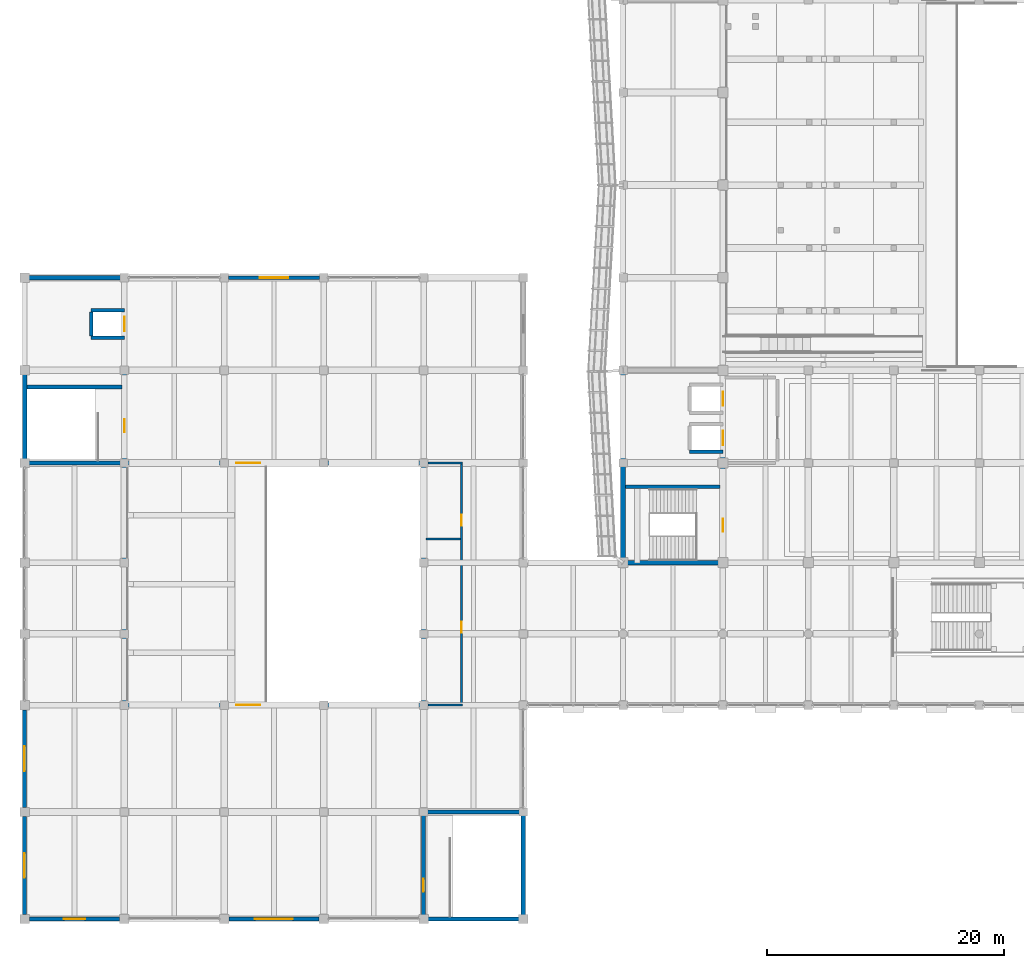
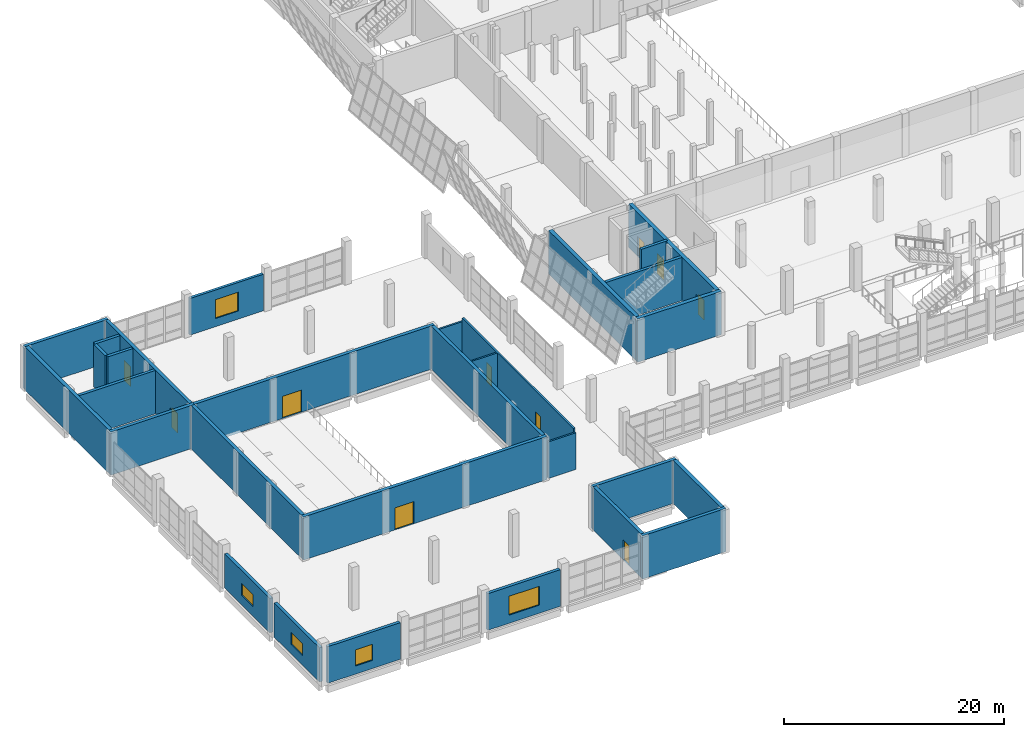
# One storey, part 80 of 91: 30 walls, 10 doors, 5 windows, 15 openings.
"""IFC4 building model written with IfcOpenShell, lengths in metres."""

from ifc_helpers import new_model, si_unit, direction, frame, frame_2d, origin, place, context, subcontext, project, spatial, rectangle, extrude, material, layer, layer_set, type_object, element, fill, save


model = new_model("IFC4")

# Units and contexts
model_context = context("Model", 3, precision=1e-05, world=origin(), true_north=direction((0.0, 1.0)))
body_context = subcontext(model_context, "Body", "Model", "MODEL_VIEW")
ifc_project = project(units=[si_unit("LENGTHUNIT", "METRE"), si_unit("AREAUNIT", "SQUARE_METRE"), si_unit("VOLUMEUNIT", "CUBIC_METRE"), si_unit("PLANEANGLEUNIT", "RADIAN"), si_unit("MASSUNIT", "GRAM", prefix="KILO")], contexts=[model_context])

# Site, building, storey
site_placement = place(None, origin())
site = spatial("IfcSite", under=ifc_project, at=site_placement, CompositionType="ELEMENT")
building_placement = place(site_placement, origin())
building = spatial("IfcBuilding", under=site, at=building_placement, Name="Pellamere Symphony Hall", CompositionType="ELEMENT")
storey_placement = place(building_placement, frame((0.0, 0.0, 5.39990234375)))
storey = spatial("IfcBuildingStorey", under=building, at=storey_placement, Name="L01", CompositionType="ELEMENT", Elevation=5.39990234375)

# Wall, opening, window
ifc_material_1 = material(Name="Precast concrete 40 MPa", Category="concrete")
ifc_layer_1 = layer(ifc_material_1, 0.320068359375, Name="Precast concrete 40 MPa")
ifc_layer_set_1 = layer_set([ifc_layer_1], Name="Precast concrete 40 MPa")
wall_type_1 = type_object("IfcWallType", Name="Exterior Wall EW-02 320mm", PredefinedType="SOLIDWALL", material=ifc_layer_set_1)
wall_1_placement = place(storey_placement, frame((0.389892578125, 0.0, 0.0), z_axis=(0.0, 0.0, 1.0), x_axis=(1.0, 0.0, 0.0)))
wall_1 = element("IfcWall", 1, at=wall_1_placement, inside=storey, type_object=wall_type_1, Name="Exterior Wall EW-02-010 (L01)", PredefinedType="SOLIDWALL", context=body_context, shape_type="SweptSolid", body=[
    extrude(rectangle(XDim=7.6201171875, YDim=0.320068359375, at=frame_2d((3.81005859375, 0.0))), origin(), (0.0, 0.0, 1.0), 4.064208984375),
])
opening_1_placement = place(wall_1_placement, frame((2.909912109375, 0.0, 0.89990234375)))
opening_1 = element("IfcOpeningElement", 2, at=opening_1_placement, cuts=wall_1, Name="Opening W008", PredefinedType="OPENING", context=body_context, shape_type="SweptSolid", body=[
    extrude(rectangle(XDim=1.800048828125, YDim=1.800048828125, at=frame_2d((0.89990234375, 0.89990234375))), frame((0.0, 0.169921875, 0.0), z_axis=(0.0, -1.0, 0.0), x_axis=(1.0, 0.0, 0.0)), (0.0, 0.0, 1.0), 0.340087890625),
])
ifc_material_2 = material(Name="Thermally Broken Aluminium Triple-Glazed Acoustic Window", Category="aluminium")
window_type_1 = type_object("IfcWindowType", Name="Window WN-03 1800x1800", PartitioningType="DOUBLE_PANEL_VERTICAL", PredefinedType="WINDOW", material=ifc_material_2)
window_1_placement = place(opening_1_placement, origin())
window_1 = element("IfcWindow", 3, at=window_1_placement, inside=storey, type_object=window_type_1, Name="Exterior Window W008 (L01)", OverallHeight=1.800048828125, OverallWidth=1.800048828125, PartitioningType="SINGLE_PANEL", PredefinedType="WINDOW", context=body_context, shape_type="SweptSolid", body=[
    extrude(rectangle(XDim=1.800048828125, YDim=1.800048828125, at=frame_2d((0.89990234375, 0.89990234375))), frame((0.0, 0.030029296875, 0.0), z_axis=(0.0, -1.0, 0.0), x_axis=(1.0, 0.0, 0.0)), (0.0, 0.0, 1.0), 0.06005859375),
])
fill(opening_1, window_1)

wall_2_placement = place(storey_placement, frame((17.18994140625, 0.0, 0.0), z_axis=(0.0, 0.0, 1.0), x_axis=(1.0, 0.0, 0.0)))
wall_2 = element("IfcWall", 4, at=wall_2_placement, inside=storey, type_object=wall_type_1, Name="Exterior Wall EW-02-011 (L01)", PredefinedType="SOLIDWALL", context=body_context, shape_type="SweptSolid", body=[
    extrude(rectangle(XDim=7.6201171875, YDim=0.320068359375, at=frame_2d((3.81005859375, 0.0))), origin(), (0.0, 0.0, 1.0), 4.064208984375),
])
opening_2_placement = place(wall_2_placement, frame((2.2099609375, 0.0, 0.89990234375)))
opening_2 = element("IfcOpeningElement", 5, at=opening_2_placement, cuts=wall_2, Name="Opening W009", PredefinedType="OPENING", context=body_context, shape_type="SweptSolid", body=[
    extrude(rectangle(XDim=3.199951171875, YDim=2.10009765625, at=frame_2d((1.60009765625, 1.050048828125))), frame((0.0, 0.169921875, 0.0), z_axis=(0.0, -1.0, 0.0), x_axis=(1.0, 0.0, 0.0)), (0.0, 0.0, 1.0), 0.340087890625),
])
window_type_2 = type_object("IfcWindowType", Name="Window WN-04 3200x2100", PartitioningType="TRIPLE_PANEL_VERTICAL", PredefinedType="WINDOW", material=ifc_material_2)
window_2_placement = place(opening_2_placement, origin())
window_2 = element("IfcWindow", 6, at=window_2_placement, inside=storey, type_object=window_type_2, Name="Exterior Window W009 (L01)", OverallHeight=2.10009765625, OverallWidth=3.199951171875, PartitioningType="SINGLE_PANEL", PredefinedType="WINDOW", context=body_context, shape_type="SweptSolid", body=[
    extrude(rectangle(XDim=3.199951171875, YDim=2.10009765625, at=frame_2d((1.60009765625, 1.050048828125))), frame((0.0, 0.030029296875, 0.0), z_axis=(0.0, -1.0, 0.0), x_axis=(1.0, 0.0, 0.0)), (0.0, 0.0, 1.0), 0.06005859375),
])
fill(opening_2, window_2)

wall_3_placement = place(storey_placement, frame((0.0, 0.389892578125, 0.0), z_axis=(0.0, 0.0, 1.0), x_axis=(0.0, 1.0, 0.0)))
wall_3 = element("IfcWall", 7, at=wall_3_placement, inside=storey, type_object=wall_type_1, Name="Exterior Wall EW-02-012 (L01)", PredefinedType="SOLIDWALL", context=body_context, shape_type="SweptSolid", body=[
    extrude(rectangle(XDim=8.22021484375, YDim=0.320068359375, at=frame_2d((4.110107421875, 0.0))), origin(), (0.0, 0.0, 1.0), 3.800048828125),
])
opening_3_placement = place(wall_3_placement, frame((3.06005859375, 0.0, 1.050048828125)))
opening_3 = element("IfcOpeningElement", 8, at=opening_3_placement, cuts=wall_3, Name="Opening W010", PredefinedType="OPENING", context=body_context, shape_type="SweptSolid", body=[
    extrude(rectangle(XDim=2.10009765625, YDim=1.35009765625, at=frame_2d((1.050048828125, 0.675048828125))), frame((0.0, 0.169921875, 0.0), z_axis=(0.0, -1.0, 0.0), x_axis=(1.0, 0.0, 0.0)), (0.0, 0.0, 1.0), 0.340087890625),
])
window_type_3 = type_object("IfcWindowType", Name="Window WN-06 2100x1350", PartitioningType="DOUBLE_PANEL_HORIZONTAL", PredefinedType="WINDOW", material=ifc_material_2)
window_3_placement = place(opening_3_placement, origin())
window_3 = element("IfcWindow", 9, at=window_3_placement, inside=storey, type_object=window_type_3, Name="Exterior Window W010 (L01)", OverallHeight=1.35009765625, OverallWidth=2.10009765625, PartitioningType="SINGLE_PANEL", PredefinedType="WINDOW", context=body_context, shape_type="SweptSolid", body=[
    extrude(rectangle(XDim=2.10009765625, YDim=1.35009765625, at=frame_2d((1.050048828125, 0.675048828125))), frame((0.0, 0.030029296875, 0.0), z_axis=(0.0, -1.0, 0.0), x_axis=(1.0, 0.0, 0.0)), (0.0, 0.0, 1.0), 0.06005859375),
])
fill(opening_3, window_3)

wall_4_placement = place(storey_placement, frame((0.0, 9.389892578125, 0.0), z_axis=(0.0, 0.0, 1.0), x_axis=(0.0, 1.0, 0.0)))
wall_4 = element("IfcWall", 10, at=wall_4_placement, inside=storey, type_object=wall_type_1, Name="Exterior Wall EW-02-013 (L01)", PredefinedType="SOLIDWALL", context=body_context, shape_type="SweptSolid", body=[
    extrude(rectangle(XDim=8.22021484375, YDim=0.320068359375, at=frame_2d((4.110107421875, 0.0))), origin(), (0.0, 0.0, 1.0), 3.800048828125),
])
opening_4_placement = place(wall_4_placement, frame((3.06005859375, 0.0, 1.050048828125)))
opening_4 = element("IfcOpeningElement", 11, at=opening_4_placement, cuts=wall_4, Name="Opening W011", PredefinedType="OPENING", context=body_context, shape_type="SweptSolid", body=[
    extrude(rectangle(XDim=2.10009765625, YDim=1.35009765625, at=frame_2d((1.050048828125, 0.675048828125))), frame((0.0, 0.169921875, 0.0), z_axis=(0.0, -1.0, 0.0), x_axis=(1.0, 0.0, 0.0)), (0.0, 0.0, 1.0), 0.340087890625),
])
window_4_placement = place(opening_4_placement, origin())
window_4 = element("IfcWindow", 12, at=window_4_placement, inside=storey, type_object=window_type_3, Name="Exterior Window W011 (L01)", OverallHeight=1.35009765625, OverallWidth=2.10009765625, PartitioningType="SINGLE_PANEL", PredefinedType="WINDOW", context=body_context, shape_type="SweptSolid", body=[
    extrude(rectangle(XDim=2.10009765625, YDim=1.35009765625, at=frame_2d((1.050048828125, 0.675048828125))), frame((0.0, 0.030029296875, 0.0), z_axis=(0.0, -1.0, 0.0), x_axis=(1.0, 0.0, 0.0)), (0.0, 0.0, 1.0), 0.06005859375),
])
fill(opening_4, window_4)

ifc_material_3 = material(Name="Architectural Limestone-Clad Insulated Backing Assembly", Category="masonry")
ifc_layer_2 = layer(ifc_material_3, 0.280029296875, Name="Architectural Limestone-Clad Insulated Backing Assembly")
ifc_layer_set_2 = layer_set([ifc_layer_2], Name="Architectural Limestone-Clad Insulated Backing Assembly")
wall_type_2 = type_object("IfcWallType", Name="Exterior Wall EW-03 280mm", PredefinedType="SOLIDWALL", material=ifc_layer_set_2)
wall_5_placement = place(storey_placement, frame((17.14990234375, 54.0, 0.0), z_axis=(0.0, 0.0, 1.0), x_axis=(1.0, 0.0, 0.0)))
wall_5 = element("IfcWall", 13, at=wall_5_placement, inside=storey, type_object=wall_type_2, Name="Exterior Wall EW-03-014 (L01)", PredefinedType="SOLIDWALL", context=body_context, shape_type="SweptSolid", body=[
    extrude(rectangle(XDim=7.7001953125, YDim=0.280029296875, at=frame_2d((3.85009765625, 0.0))), origin(), (0.0, 0.0, 1.0), 4.064208984375),
])
opening_5_placement = place(wall_5_placement, frame((2.64990234375, 0.0, 0.89990234375)))
opening_5 = element("IfcOpeningElement", 14, at=opening_5_placement, cuts=wall_5, Name="Opening W012", PredefinedType="OPENING", context=body_context, shape_type="SweptSolid", body=[
    extrude(rectangle(XDim=2.39990234375, YDim=2.10009765625, at=frame_2d((1.199951171875, 1.050048828125))), frame((0.0, 0.14990234375, 0.0), z_axis=(0.0, -1.0, 0.0), x_axis=(1.0, 0.0, 0.0)), (0.0, 0.0, 1.0), 0.300048828125),
])
window_type_4 = type_object("IfcWindowType", Name="Window WN-02 2400x2100", PartitioningType="DOUBLE_PANEL_VERTICAL", PredefinedType="WINDOW", material=ifc_material_2)
window_5_placement = place(opening_5_placement, origin())
window_5 = element("IfcWindow", 15, at=window_5_placement, inside=storey, type_object=window_type_4, Name="Exterior Window W012 (L01)", OverallHeight=2.10009765625, OverallWidth=2.39990234375, PartitioningType="SINGLE_PANEL", PredefinedType="WINDOW", context=body_context, shape_type="SweptSolid", body=[
    extrude(rectangle(XDim=2.39990234375, YDim=2.10009765625, at=frame_2d((1.199951171875, 1.050048828125))), frame((0.0, 0.030029296875, 0.0), z_axis=(0.0, -1.0, 0.0), x_axis=(1.0, 0.0, 0.0)), (0.0, 0.0, 1.0), 0.06005859375),
])
fill(opening_5, window_5)

# Walls
ifc_material_4 = material(Name="Moisture-Resistant Ceramic-Tiled Washroom Wall", Category="gypsum")
ifc_layer_3 = layer(ifc_material_4, 0.179931640625, Name="Moisture-Resistant Ceramic-Tiled Washroom Wall")
ifc_layer_set_3 = layer_set([ifc_layer_3], Name="Moisture-Resistant Ceramic-Tiled Washroom Wall")
wall_type_3 = type_object("IfcWallType", Name="Interior Partition IW-06 180mm", PredefinedType="PARTITIONING", material=ifc_layer_set_3)
wall_6_placement = place(storey_placement, frame((33.9599609375, 18.0, 0.0), z_axis=(0.0, 0.0, 1.0), x_axis=(1.0, 0.0, 0.0)))
element("IfcWall", 16, at=wall_6_placement, inside=storey, type_object=wall_type_3, Name="Interior Partition IW-06-073 (L01)", PredefinedType="PARTITIONING", context=body_context, shape_type="SweptSolid", body=[
    extrude(rectangle(XDim=2.929931640625, YDim=0.179931640625, at=frame_2d((1.46484375, 0.0))), origin(), (0.0, 0.0, 1.0), 4.064208984375),
])
wall_7_placement = place(storey_placement, frame((33.7900390625, 32.0, 0.0), z_axis=(0.0, 0.0, 1.0), x_axis=(1.0, 0.0, 0.0)))
element("IfcWall", 17, at=wall_7_placement, inside=storey, type_object=wall_type_3, Name="Interior Partition IW-06-074 (L01)", PredefinedType="PARTITIONING", context=body_context, shape_type="SweptSolid", body=[
    extrude(rectangle(XDim=2.909912109375, YDim=0.179931640625, at=frame_2d((1.455078125, 0.0))), origin(), (0.0, 0.0, 1.0), 4.489990234375),
])
wall_8_placement = place(storey_placement, frame((33.9599609375, 38.39990234375, 0.0), z_axis=(0.0, 0.0, 1.0), x_axis=(1.0, 0.0, 0.0)))
element("IfcWall", 18, at=wall_8_placement, inside=storey, type_object=wall_type_3, Name="Interior Partition IW-06-075 (L01)", PredefinedType="PARTITIONING", context=body_context, shape_type="SweptSolid", body=[
    extrude(rectangle(XDim=2.929931640625, YDim=0.179931640625, at=frame_2d((1.46484375, 0.0))), origin(), (0.0, 0.0, 1.0), 4.064208984375),
])

# Wall, openings, doors
wall_9_placement = place(storey_placement, frame((36.800048828125, 18.10009765625, 0.0), z_axis=(0.0, 0.0, 1.0), x_axis=(0.0, 1.0, 0.0)))
wall_9 = element("IfcWall", 19, at=wall_9_placement, inside=storey, type_object=wall_type_3, Name="Interior Partition IW-06-076 (L01)", PredefinedType="PARTITIONING", context=body_context, shape_type="SweptSolid", body=[
    extrude(rectangle(XDim=20.199951171875, YDim=0.179931640625, at=frame_2d((10.10009765625, 0.0))), origin(), (0.0, 0.0, 1.0), 4.489990234375),
])
opening_6_placement = place(wall_9_placement, frame((6.0, 0.0, 0.0)))
opening_6 = element("IfcOpeningElement", 20, at=opening_6_placement, cuts=wall_9, Name="Opening ID-WC1-035", PredefinedType="OPENING", context=body_context, shape_type="SweptSolid", body=[
    extrude(rectangle(XDim=0.919921875, YDim=2.14990234375, at=frame_2d((0.4599609375, 1.074951171875))), frame((0.0, 0.099853515625, 0.0), z_axis=(0.0, -1.0, 0.0), x_axis=(1.0, 0.0, 0.0)), (0.0, 0.0, 1.0), 0.199951171875),
])
opening_7_placement = place(wall_9_placement, frame((15.0, 0.0, 0.0)))
opening_7 = element("IfcOpeningElement", 21, at=opening_7_placement, cuts=wall_9, Name="Opening ID-WC1-036", PredefinedType="OPENING", context=body_context, shape_type="SweptSolid", body=[
    extrude(rectangle(XDim=0.919921875, YDim=2.14990234375, at=frame_2d((0.4599609375, 1.074951171875))), frame((0.0, 0.099853515625, 0.0), z_axis=(0.0, -1.0, 0.0), x_axis=(1.0, 0.0, 0.0)), (0.0, 0.0, 1.0), 0.199951171875),
])
ifc_material_5 = material(Name="Accessible Washroom Privacy Door", Category="wood")
door_type_1 = type_object("IfcDoorType", Name="Interior Door ID-WC1 920x2150", OperationType="NOTDEFINED", PredefinedType="DOOR", material=ifc_material_5)
door_1_placement = place(opening_6_placement, origin())
door_1 = element("IfcDoor", 22, at=door_1_placement, inside=storey, type_object=door_type_1, Name="Chamber Balcony Washroom Door", OperationType="SINGLE_SWING_LEFT", OverallHeight=2.14990234375, OverallWidth=0.919921875, PredefinedType="DOOR", context=body_context, shape_type="SweptSolid", body=[
    extrude(rectangle(XDim=0.919921875, YDim=2.14990234375, at=frame_2d((0.4599609375, 1.074951171875))), frame((0.0, 0.02490234375, 0.0), z_axis=(0.0, -1.0, 0.0), x_axis=(1.0, 0.0, 0.0)), (0.0, 0.0, 1.0), 0.050048828125),
])
fill(opening_6, door_1)
door_2_placement = place(opening_7_placement, origin())
door_2 = element("IfcDoor", 23, at=door_2_placement, inside=storey, type_object=door_type_1, Name="Chamber Balcony Accessible WC Door", OperationType="SINGLE_SWING_RIGHT", OverallHeight=2.14990234375, OverallWidth=0.919921875, PredefinedType="DOOR", context=body_context, shape_type="SweptSolid", body=[
    extrude(rectangle(XDim=0.919921875, YDim=2.14990234375, at=frame_2d((0.4599609375, 1.074951171875))), frame((0.0, 0.02490234375, 0.0), z_axis=(0.0, -1.0, 0.0), x_axis=(1.0, 0.0, 0.0)), (0.0, 0.0, 1.0), 0.050048828125),
])
fill(opening_7, door_2)

# Walls
ifc_material_6 = material(Name="Concrete 50 MPa", Category="concrete")
ifc_layer_4 = layer(ifc_material_6, 0.39990234375, Name="Concrete 50 MPa")
ifc_layer_set_4 = layer_set([ifc_layer_4], Name="Concrete 50 MPa")
wall_type_4 = type_object("IfcWallType", Name="Structural Wall SW-02 400mm", PredefinedType="SHEAR", material=ifc_layer_set_4)
wall_10_placement = place(storey_placement, frame((50.199951171875, 30.0, 0.0), z_axis=(0.0, 0.0, 1.0), x_axis=(1.0, 0.0, 0.0)))
element("IfcWall", 24, at=wall_10_placement, inside=storey, type_object=wall_type_4, Name="Core Shear Wall C1 S (L01)", PredefinedType="SHEAR", context=body_context, shape_type="SweptSolid", body=[
    extrude(rectangle(XDim=8.800048828125, YDim=0.39990234375, at=frame_2d((4.39990234375, 0.0))), origin(), (0.0, 0.0, 1.0), 4.800048828125),
])
wall_11_placement = place(storey_placement, frame((50.39990234375, 30.199951171875, 0.0), z_axis=(0.0, 0.0, 1.0), x_axis=(0.0, 1.0, 0.0)))
element("IfcWall", 25, at=wall_11_placement, inside=storey, type_object=wall_type_4, Name="Core Shear Wall C1 W (L01)", PredefinedType="SHEAR", context=body_context, shape_type="SweptSolid", body=[
    extrude(rectangle(XDim=15.800048828125, YDim=0.39990234375, at=frame_2d((7.89990234375, 0.0))), origin(), (0.0, 0.0, 1.0), 4.800048828125),
])

# Wall, openings, doors
wall_12_placement = place(storey_placement, frame((58.800048828125, 30.199951171875, 0.0), z_axis=(0.0, 0.0, 1.0), x_axis=(0.0, 1.0, 0.0)))
wall_12 = element("IfcWall", 26, at=wall_12_placement, inside=storey, type_object=wall_type_4, Name="Core Shear Wall C1 E (L01)", PredefinedType="SHEAR", context=body_context, shape_type="SweptSolid", body=[
    extrude(rectangle(XDim=15.800048828125, YDim=0.39990234375, at=frame_2d((7.89990234375, 0.0))), origin(), (0.0, 0.0, 1.0), 4.800048828125),
])
opening_8_placement = place(wall_12_placement, frame((9.699951171875, 0.0, 0.0)))
opening_8 = element("IfcOpeningElement", 27, at=opening_8_placement, cuts=wall_12, Name="Opening LD-03", PredefinedType="OPENING", context=body_context, shape_type="SweptSolid", body=[
    extrude(rectangle(XDim=1.199951171875, YDim=2.199951171875, at=frame_2d((0.60009765625, 1.10009765625))), frame((0.0, 0.2099609375, 0.0), z_axis=(0.0, -1.0, 0.0), x_axis=(1.0, 0.0, 0.0)), (0.0, 0.0, 1.0), 0.419921875),
])
opening_9_placement = place(wall_12_placement, frame((13.0, 0.0, 0.0)))
opening_9 = element("IfcOpeningElement", 28, at=opening_9_placement, cuts=wall_12, Name="Opening LD-09", PredefinedType="OPENING", context=body_context, shape_type="SweptSolid", body=[
    extrude(rectangle(XDim=1.199951171875, YDim=2.199951171875, at=frame_2d((0.60009765625, 1.10009765625))), frame((0.0, 0.2099609375, 0.0), z_axis=(0.0, -1.0, 0.0), x_axis=(1.0, 0.0, 0.0)), (0.0, 0.0, 1.0), 0.419921875),
])
opening_10_placement = place(wall_12_placement, frame((2.39990234375, 0.0, 0.0)))
opening_10 = element("IfcOpeningElement", 29, at=opening_10_placement, cuts=wall_12, Name="Opening SD-03", PredefinedType="OPENING", context=body_context, shape_type="SweptSolid", body=[
    extrude(rectangle(XDim=1.10009765625, YDim=2.199951171875, at=frame_2d((0.550048828125, 1.10009765625))), frame((0.0, 0.2099609375, 0.0), z_axis=(0.0, -1.0, 0.0), x_axis=(1.0, 0.0, 0.0)), (0.0, 0.0, 1.0), 0.419921875),
])
ifc_material_7 = material(Name="Stainless Steel AISI 316 Elevator Landing Door", Category="steel")
door_type_2 = type_object("IfcDoorType", Name="Interior Door ID-LD1 1200x2200", OperationType="NOTDEFINED", PredefinedType="DOOR", material=ifc_material_7)
door_3_placement = place(opening_8_placement, origin())
door_3 = element("IfcDoor", 30, at=door_3_placement, inside=storey, type_object=door_type_2, Name="Elevator PL1 Sliding Landing Door (L01)", OperationType="SLIDING_TO_LEFT", OverallHeight=2.199951171875, OverallWidth=1.199951171875, PredefinedType="DOOR", context=body_context, shape_type="SweptSolid", body=[
    extrude(rectangle(XDim=1.199951171875, YDim=2.199951171875, at=frame_2d((0.60009765625, 1.10009765625))), frame((0.0, 0.02490234375, 0.0), z_axis=(0.0, -1.0, 0.0), x_axis=(1.0, 0.0, 0.0)), (0.0, 0.0, 1.0), 0.050048828125),
])
fill(opening_8, door_3)
door_4_placement = place(opening_9_placement, origin())
door_4 = element("IfcDoor", 31, at=door_4_placement, inside=storey, type_object=door_type_2, Name="Elevator PL2 Sliding Landing Door (L01)", OperationType="SLIDING_TO_LEFT", OverallHeight=2.199951171875, OverallWidth=1.199951171875, PredefinedType="DOOR", context=body_context, shape_type="SweptSolid", body=[
    extrude(rectangle(XDim=1.199951171875, YDim=2.199951171875, at=frame_2d((0.60009765625, 1.10009765625))), frame((0.0, 0.02490234375, 0.0), z_axis=(0.0, -1.0, 0.0), x_axis=(1.0, 0.0, 0.0)), (0.0, 0.0, 1.0), 0.050048828125),
])
fill(opening_9, door_4)
ifc_material_8 = material(Name="Fire-Rated Steel Exit Stair Door", Category="steel")
door_type_3 = type_object("IfcDoorType", Name="Interior Door ID-SD1 1100x2200", OperationType="NOTDEFINED", PredefinedType="DOOR", material=ifc_material_8)
door_5_placement = place(opening_10_placement, origin())
door_5 = element("IfcDoor", 32, at=door_5_placement, inside=storey, type_object=door_type_3, Name="Core C1 Exit Stair Door (L01)", OperationType="SINGLE_SWING_LEFT", OverallHeight=2.199951171875, OverallWidth=1.10009765625, PredefinedType="DOOR", context=body_context, shape_type="SweptSolid", body=[
    extrude(rectangle(XDim=1.10009765625, YDim=2.199951171875, at=frame_2d((0.550048828125, 1.10009765625))), frame((0.0, 0.02490234375, 0.0), z_axis=(0.0, -1.0, 0.0), x_axis=(1.0, 0.0, 0.0)), (0.0, 0.0, 1.0), 0.050048828125),
])
fill(opening_10, door_5)

# Wall, opening, door
ifc_material_9 = material(Name="Concrete 40 MPa", Category="concrete")
ifc_layer_5 = layer(ifc_material_9, 0.35009765625, Name="Concrete 40 MPa")
ifc_layer_set_5 = layer_set([ifc_layer_5], Name="Concrete 40 MPa")
wall_type_5 = type_object("IfcWallType", Name="Structural Wall SW-03 350mm", PredefinedType="SHEAR", material=ifc_layer_set_5)
wall_13_placement = place(storey_placement, frame((8.22509765625, 18.0, 0.0), z_axis=(0.0, 0.0, 1.0), x_axis=(1.0, 0.0, 0.0)))
wall_13 = element("IfcWall", 33, at=wall_13_placement, inside=storey, type_object=wall_type_5, Name="Chamber Hall Acoustic Wall AW2-S (L01)", PredefinedType="SHEAR", context=body_context, shape_type="SweptSolid", body=[
    extrude(rectangle(XDim=25.5498046875, YDim=0.35009765625, at=frame_2d((12.77490234375, 0.0))), origin(), (0.0, 0.0, 1.0), 4.800048828125),
])
opening_11_placement = place(wall_13_placement, frame((9.60009765625, 0.0, 0.0)))
opening_11 = element("IfcOpeningElement", 34, at=opening_11_placement, cuts=wall_13, Name="Opening AD-12", PredefinedType="OPENING", context=body_context, shape_type="SweptSolid", body=[
    extrude(rectangle(XDim=2.0, YDim=2.449951171875, at=frame_2d((1.0, 1.22509765625))), frame((0.0, 0.18505859375, 0.0), z_axis=(0.0, -1.0, 0.0), x_axis=(1.0, 0.0, 0.0)), (0.0, 0.0, 1.0), 0.3701171875),
])
ifc_material_10 = material(Name="STC-55 Solid White Oak Acoustic Hall Entry Door", Category="wood")
door_type_4 = type_object("IfcDoorType", Name="Interior Door ID-AD1 2000x2450", OperationType="NOTDEFINED", PredefinedType="DOOR", material=ifc_material_10)
door_6_placement = place(opening_11_placement, origin())
door_6 = element("IfcDoor", 35, at=door_6_placement, inside=storey, type_object=door_type_4, Name="Chamber Hall Balcony Entry Door S", OperationType="DOUBLE_DOOR_SINGLE_SWING", OverallHeight=2.449951171875, OverallWidth=2.0, PredefinedType="DOOR", context=body_context, shape_type="SweptSolid", body=[
    extrude(rectangle(XDim=2.0, YDim=2.449951171875, at=frame_2d((1.0, 1.22509765625))), frame((0.0, 0.02490234375, 0.0), z_axis=(0.0, -1.0, 0.0), x_axis=(1.0, 0.0, 0.0)), (0.0, 0.0, 1.0), 0.050048828125),
])
fill(opening_11, door_6)

wall_14_placement = place(storey_placement, frame((8.22509765625, 38.39990234375, 0.0), z_axis=(0.0, 0.0, 1.0), x_axis=(1.0, 0.0, 0.0)))
wall_14 = element("IfcWall", 36, at=wall_14_placement, inside=storey, type_object=wall_type_5, Name="Chamber Hall Acoustic Wall AW2-N (L01)", PredefinedType="SHEAR", context=body_context, shape_type="SweptSolid", body=[
    extrude(rectangle(XDim=25.5498046875, YDim=0.35009765625, at=frame_2d((12.77490234375, 0.0))), origin(), (0.0, 0.0, 1.0), 4.800048828125),
])
opening_12_placement = place(wall_14_placement, frame((9.60009765625, 0.0, 0.0)))
opening_12 = element("IfcOpeningElement", 37, at=opening_12_placement, cuts=wall_14, Name="Opening AD-14", PredefinedType="OPENING", context=body_context, shape_type="SweptSolid", body=[
    extrude(rectangle(XDim=2.0, YDim=2.449951171875, at=frame_2d((1.0, 1.22509765625))), frame((0.0, 0.18505859375, 0.0), z_axis=(0.0, -1.0, 0.0), x_axis=(1.0, 0.0, 0.0)), (0.0, 0.0, 1.0), 0.3701171875),
])
door_7_placement = place(opening_12_placement, origin())
door_7 = element("IfcDoor", 38, at=door_7_placement, inside=storey, type_object=door_type_4, Name="Chamber Hall Balcony Entry Door N", OperationType="DOUBLE_DOOR_SINGLE_SWING", OverallHeight=2.449951171875, OverallWidth=2.0, PredefinedType="DOOR", context=body_context, shape_type="SweptSolid", body=[
    extrude(rectangle(XDim=2.0, YDim=2.449951171875, at=frame_2d((1.0, 1.22509765625))), frame((0.0, 0.02490234375, 0.0), z_axis=(0.0, -1.0, 0.0), x_axis=(1.0, 0.0, 0.0)), (0.0, 0.0, 1.0), 0.050048828125),
])
fill(opening_12, door_7)

# Walls
for number, where, z_axis, x_axis, name in (
    (39, (8.39990234375, 18.175048828125, 0.0), (0.0, 0.0, 1.0), (0.0, 1.0, 0.0), "Chamber Hall Acoustic Wall AW2-W (L01)"),
    (40, (33.60009765625, 18.175048828125, 0.0), (0.0, 0.0, 1.0), (0.0, 1.0, 0.0), "Chamber Hall Acoustic Wall AW2-E (L01)"),
):
    element("IfcWall", number, at=place(storey_placement, frame(where, z_axis=z_axis, x_axis=x_axis)), inside=storey, type_object=wall_type_5, Name=name, PredefinedType="SHEAR", context=body_context, shape_type="SweptSolid", body=[
        extrude(rectangle(XDim=20.050048828125, YDim=0.35009765625, at=frame_2d((10.02490234375, 0.0))), origin(), (0.0, 0.0, 1.0), 4.800048828125),
    ])
for number, where, z_axis, x_axis, name in (
    (41, (-0.175048828125, 38.39990234375, 0.0), (0.0, 0.0, 1.0), (1.0, 0.0, 0.0), "Core Shear Wall C3 S (L01)"),
    (42, (-0.175048828125, 54.0, 0.0), (0.0, 0.0, 1.0), (1.0, 0.0, 0.0), "Core Shear Wall C3 N (L01)"),
):
    element("IfcWall", number, at=place(storey_placement, frame(where, z_axis=z_axis, x_axis=x_axis)), inside=storey, type_object=wall_type_5, Name=name, PredefinedType="SHEAR", context=body_context, shape_type="SweptSolid", body=[
        extrude(rectangle(XDim=8.75, YDim=0.35009765625, at=frame_2d((4.375, 0.0))), origin(), (0.0, 0.0, 1.0), 4.800048828125),
    ])

# Wall, openings, doors
wall_15_placement = place(storey_placement, frame((8.39990234375, 38.574951171875, 0.0), z_axis=(0.0, 0.0, 1.0), x_axis=(0.0, 1.0, 0.0)))
wall_15 = element("IfcWall", 43, at=wall_15_placement, inside=storey, type_object=wall_type_5, Name="Core Shear Wall C3 E (L01)", PredefinedType="SHEAR", context=body_context, shape_type="SweptSolid", body=[
    extrude(rectangle(XDim=15.25, YDim=0.35009765625, at=frame_2d((7.625, 0.0))), origin(), (0.0, 0.0, 1.0), 4.800048828125),
])
opening_13_placement = place(wall_15_placement, frame((10.925048828125, 0.0, 0.0)))
opening_13 = element("IfcOpeningElement", 44, at=opening_13_placement, cuts=wall_15, Name="Opening LD-44", PredefinedType="OPENING", context=body_context, shape_type="SweptSolid", body=[
    extrude(rectangle(XDim=1.199951171875, YDim=2.199951171875, at=frame_2d((0.60009765625, 1.10009765625))), frame((0.0, 0.18505859375, 0.0), z_axis=(0.0, -1.0, 0.0), x_axis=(1.0, 0.0, 0.0)), (0.0, 0.0, 1.0), 0.3701171875),
])
opening_14_placement = place(wall_15_placement, frame((2.39990234375, 0.0, 0.0)))
opening_14 = element("IfcOpeningElement", 45, at=opening_14_placement, cuts=wall_15, Name="Opening SD-16", PredefinedType="OPENING", context=body_context, shape_type="SweptSolid", body=[
    extrude(rectangle(XDim=1.10009765625, YDim=2.199951171875, at=frame_2d((0.550048828125, 1.10009765625))), frame((0.0, 0.18505859375, 0.0), z_axis=(0.0, -1.0, 0.0), x_axis=(1.0, 0.0, 0.0)), (0.0, 0.0, 1.0), 0.3701171875),
])
door_8_placement = place(opening_13_placement, origin())
door_8 = element("IfcDoor", 46, at=door_8_placement, inside=storey, type_object=door_type_2, Name="Elevator PL5 Sliding Landing Door (L01)", OperationType="SLIDING_TO_RIGHT", OverallHeight=2.199951171875, OverallWidth=1.199951171875, PredefinedType="DOOR", context=body_context, shape_type="SweptSolid", body=[
    extrude(rectangle(XDim=1.199951171875, YDim=2.199951171875, at=frame_2d((0.60009765625, 1.10009765625))), frame((0.0, 0.02490234375, 0.0), z_axis=(0.0, -1.0, 0.0), x_axis=(1.0, 0.0, 0.0)), (0.0, 0.0, 1.0), 0.050048828125),
])
fill(opening_13, door_8)
door_9_placement = place(opening_14_placement, origin())
door_9 = element("IfcDoor", 47, at=door_9_placement, inside=storey, type_object=door_type_3, Name="Core C3 Exit Stair Door (L01)", OperationType="SINGLE_SWING_RIGHT", OverallHeight=2.199951171875, OverallWidth=1.10009765625, PredefinedType="DOOR", context=body_context, shape_type="SweptSolid", body=[
    extrude(rectangle(XDim=1.10009765625, YDim=2.199951171875, at=frame_2d((0.550048828125, 1.10009765625))), frame((0.0, 0.02490234375, 0.0), z_axis=(0.0, -1.0, 0.0), x_axis=(1.0, 0.0, 0.0)), (0.0, 0.0, 1.0), 0.050048828125),
])
fill(opening_14, door_9)

# Walls
for number, where, z_axis, x_axis, name in (
    (48, (33.425048828125, 0.0, 0.0), (0.0, 0.0, 1.0), (1.0, 0.0, 0.0), "Stair ST09 Enclosure Wall S (L01)"),
    (49, (33.425048828125, 9.0, 0.0), (0.0, 0.0, 1.0), (1.0, 0.0, 0.0), "Stair ST09 Enclosure Wall N (L01)"),
):
    element("IfcWall", number, at=place(storey_placement, frame(where, z_axis=z_axis, x_axis=x_axis)), inside=storey, type_object=wall_type_5, Name=name, PredefinedType="SHEAR", context=body_context, shape_type="SweptSolid", body=[
        extrude(rectangle(XDim=8.75, YDim=0.35009765625, at=frame_2d((4.375, 0.0))), origin(), (0.0, 0.0, 1.0), 4.800048828125),
    ])

# Wall, opening, door
wall_16_placement = place(storey_placement, frame((33.60009765625, 0.175048828125, 0.0), z_axis=(0.0, 0.0, 1.0), x_axis=(0.0, 1.0, 0.0)))
wall_16 = element("IfcWall", 50, at=wall_16_placement, inside=storey, type_object=wall_type_5, Name="Stair ST09 Enclosure Wall W (L01)", PredefinedType="SHEAR", context=body_context, shape_type="SweptSolid", body=[
    extrude(rectangle(XDim=8.64990234375, YDim=0.35009765625, at=frame_2d((4.324951171875, 0.0))), origin(), (0.0, 0.0, 1.0), 4.800048828125),
])
opening_15_placement = place(wall_16_placement, frame((2.10009765625, 0.0, 0.0)))
opening_15 = element("IfcOpeningElement", 51, at=opening_15_placement, cuts=wall_16, Name="Opening SD-50", PredefinedType="OPENING", context=body_context, shape_type="SweptSolid", body=[
    extrude(rectangle(XDim=1.10009765625, YDim=2.199951171875, at=frame_2d((0.550048828125, 1.10009765625))), frame((0.0, 0.18505859375, 0.0), z_axis=(0.0, -1.0, 0.0), x_axis=(1.0, 0.0, 0.0)), (0.0, 0.0, 1.0), 0.3701171875),
])
door_10_placement = place(opening_15_placement, frame((1.10009765625, 0.0, 0.0), z_axis=(0.0, 0.0, 1.0), x_axis=(-1.0, 0.0, 0.0)))
door_10 = element("IfcDoor", 52, at=door_10_placement, inside=storey, type_object=door_type_3, Name="Exit Stair ST09 Door (L01)", OperationType="SINGLE_SWING_RIGHT", OverallHeight=2.199951171875, OverallWidth=1.10009765625, PredefinedType="DOOR", context=body_context, shape_type="SweptSolid", body=[
    extrude(rectangle(XDim=1.10009765625, YDim=2.199951171875, at=frame_2d((0.550048828125, 1.10009765625))), frame((0.0, 0.02490234375, 0.0), z_axis=(0.0, -1.0, 0.0), x_axis=(1.0, 0.0, 0.0)), (0.0, 0.0, 1.0), 0.050048828125),
])
fill(opening_15, door_10)

# Walls
ifc_layer_6 = layer(ifc_material_9, 0.300048828125, Name="Concrete 40 MPa")
ifc_layer_set_6 = layer_set([ifc_layer_6], Name="Concrete 40 MPa")
wall_type_6 = type_object("IfcWallType", Name="Structural Wall SW-04 300mm", PredefinedType="SHEAR", material=ifc_layer_set_6)
wall_17_placement = place(storey_placement, frame((56.0, 39.324951171875, 0.0), z_axis=(0.0, 0.0, 1.0), x_axis=(1.0, 0.0, 0.0)))
element("IfcWall", 53, at=wall_17_placement, inside=storey, type_object=wall_type_6, Name="Elevator PL1 Hoistway Wall S (L01)", PredefinedType="SHEAR", context=body_context, shape_type="SweptSolid", body=[
    extrude(rectangle(XDim=2.800048828125, YDim=0.300048828125, at=frame_2d((1.39990234375, 0.0))), origin(), (0.0, 0.0, 1.0), 4.800048828125),
])
for number, where, z_axis, x_axis, name in (
    (54, (5.60009765625, 48.925048828125, 0.0), (0.0, 0.0, 1.0), (1.0, 0.0, 0.0), "Elevator PL5 Hoistway Wall S (L01)"),
    (55, (5.60009765625, 51.27490234375, 0.0), (0.0, 0.0, 1.0), (1.0, 0.0, 0.0), "Elevator PL5 Hoistway Wall N (L01)"),
):
    element("IfcWall", number, at=place(storey_placement, frame(where, z_axis=z_axis, x_axis=x_axis)), inside=storey, type_object=wall_type_6, Name=name, PredefinedType="SHEAR", context=body_context, shape_type="SweptSolid", body=[
        extrude(rectangle(XDim=2.7998046875, YDim=0.300048828125, at=frame_2d((1.39990234375, 0.0))), origin(), (0.0, 0.0, 1.0), 4.72021484375),
    ])
wall_18_placement = place(storey_placement, frame((5.60009765625, 49.074951171875, 0.0), z_axis=(0.0, 0.0, 1.0), x_axis=(0.0, 1.0, 0.0)))
element("IfcWall", 56, at=wall_18_placement, inside=storey, type_object=wall_type_6, Name="Elevator PL5 Hoistway Wall W (L01)", PredefinedType="SHEAR", context=body_context, shape_type="SweptSolid", body=[
    extrude(rectangle(XDim=2.050048828125, YDim=0.300048828125, at=frame_2d((1.02490234375, 0.0))), origin(), (0.0, 0.0, 1.0), 4.72021484375),
])
ifc_layer_7 = layer(ifc_material_9, 0.3798828125, Name="Concrete 40 MPa")
ifc_layer_set_7 = layer_set([ifc_layer_7], Name="Concrete 40 MPa")
wall_type_7 = type_object("IfcWallType", Name="Structural Wall SW-07 380mm", PredefinedType="SHEAR", material=ifc_layer_set_7)
wall_19_placement = place(storey_placement, frame((0.0, 38.574951171875, 0.0), z_axis=(0.0, 0.0, 1.0), x_axis=(0.0, 1.0, 0.0)))
element("IfcWall", 57, at=wall_19_placement, inside=storey, type_object=wall_type_7, Name="Core Shear Wall C3 W (L01)", PredefinedType="SHEAR", context=body_context, shape_type="SweptSolid", body=[
    extrude(rectangle(XDim=15.25, YDim=0.3798828125, at=frame_2d((7.625, 0.0))), origin(), (0.0, 0.0, 1.0), 4.800048828125),
])
wall_20_placement = place(storey_placement, frame((42.0, 0.175048828125, 0.0), z_axis=(0.0, 0.0, 1.0), x_axis=(0.0, 1.0, 0.0)))
element("IfcWall", 58, at=wall_20_placement, inside=storey, type_object=wall_type_7, Name="Stair ST09 Enclosure Wall E (L01)", PredefinedType="SHEAR", context=body_context, shape_type="SweptSolid", body=[
    extrude(rectangle(XDim=8.64990234375, YDim=0.3798828125, at=frame_2d((4.324951171875, 0.0))), origin(), (0.0, 0.0, 1.0), 4.800048828125),
])
ifc_layer_8 = layer(ifc_material_9, 0.31005859375, Name="Concrete 40 MPa")
ifc_layer_set_8 = layer_set([ifc_layer_8], Name="Concrete 40 MPa")
wall_type_8 = type_object("IfcWallType", Name="Structural Wall SW-08 310mm", PredefinedType="SHEAR", material=ifc_layer_set_8)
wall_21_placement = place(storey_placement, frame((50.6201171875, 36.39990234375, 0.0), z_axis=(0.0, 0.0, 1.0), x_axis=(1.0, 0.0, 0.0)))
element("IfcWall", 59, at=wall_21_placement, inside=storey, type_object=wall_type_8, Name="Core Stair Divider Wall C1 (L01)", PredefinedType="SHEAR", context=body_context, shape_type="SweptSolid", body=[
    extrude(rectangle(XDim=7.9599609375, YDim=0.31005859375, at=frame_2d((3.97998046875, 0.0))), origin(), (0.0, 0.0, 1.0), 4.800048828125),
])
wall_22_placement = place(storey_placement, frame((0.195068359375, 44.800048828125, 0.0), z_axis=(0.0, 0.0, 1.0), x_axis=(1.0, 0.0, 0.0)))
element("IfcWall", 60, at=wall_22_placement, inside=storey, type_object=wall_type_8, Name="Core Stair Divider Wall C3 (L01)", PredefinedType="SHEAR", context=body_context, shape_type="SweptSolid", body=[
    extrude(rectangle(XDim=8.010009765625, YDim=0.31005859375, at=frame_2d((4.0048828125, 0.0))), origin(), (0.0, 0.0, 1.0), 4.800048828125),
])

save(model, "model.ifc")
